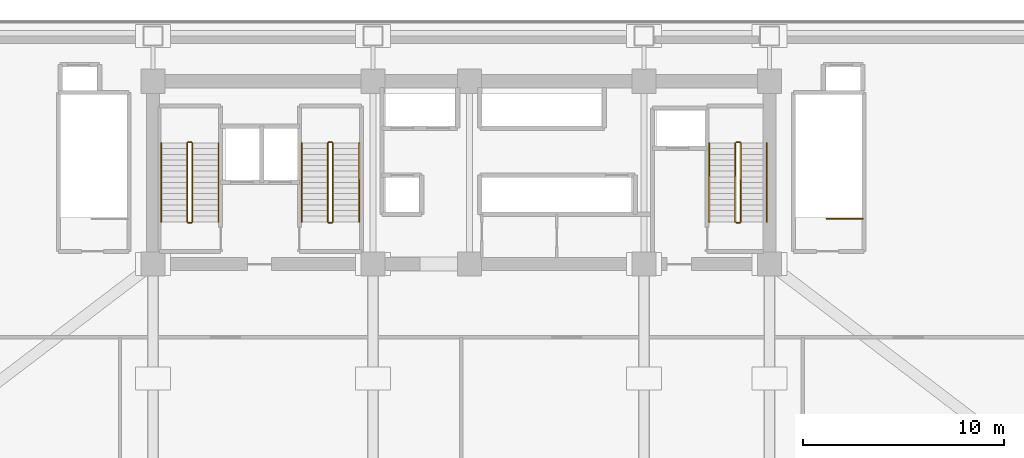
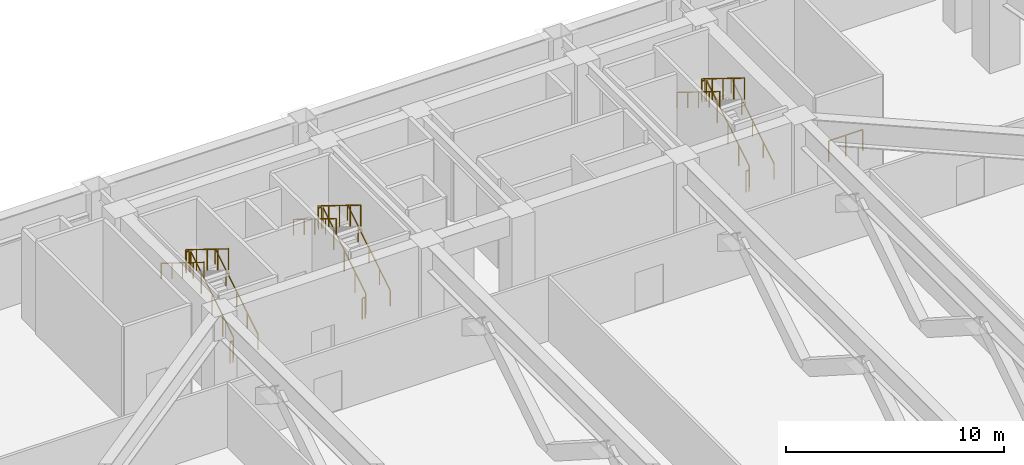
# One storey, part 7 of 8: 19 railings.
"""IFC4 building model written with IfcOpenShell, lengths in metres."""

from ifc_helpers import new_model, si_unit, direction, frame, origin, origin_2d, place, context, subcontext, project, spatial, rectangle, extrude, material, type_object, element, save


model = new_model("IFC4")

# Units and contexts
model_context = context("Model", 3, precision=1e-05, world=origin(), true_north=direction((0.0, 1.0)))
body_context = subcontext(model_context, "Body", "Model", "MODEL_VIEW")
ifc_project = project(units=[si_unit("LENGTHUNIT", "METRE"), si_unit("AREAUNIT", "SQUARE_METRE"), si_unit("VOLUMEUNIT", "CUBIC_METRE"), si_unit("PLANEANGLEUNIT", "RADIAN"), si_unit("MASSUNIT", "GRAM", prefix="KILO")], contexts=[model_context])

# Site, building, storey
site_placement = place(None, origin())
site = spatial("IfcSite", under=ifc_project, at=site_placement, CompositionType="ELEMENT")
building_placement = place(site_placement, origin())
building = spatial("IfcBuilding", under=site, at=building_placement, Name="Giltprow Tower", CompositionType="ELEMENT")
storey_placement = place(building_placement, frame((0.0, 0.0, 20.199951171875)))
storey = spatial("IfcBuildingStorey", under=building, at=storey_placement, Name="L05", CompositionType="ELEMENT", Elevation=20.199951171875)

# Railings
ifc_material = material(Name="Anodized bronze", Category="metal")
railing_type_1 = type_object("IfcRailingType", Name="RAIL-STAIR-GUARD-1200", PredefinedType="GUARDRAIL", material=ifc_material)
railing_1_placement = place(storey_placement, frame((21.81005859375, 39.550048828125, 0.17333984375)))
element("IfcRailing", 1, at=railing_1_placement, inside=storey, type_object=railing_type_1, Name="L05 ST-1 stair guard 1", PredefinedType="GUARDRAIL", context=body_context, shape_type="SweptSolid", body=[
    extrude(rectangle(XDim=0.048095703125, YDim=0.048095703125, at=origin_2d()), frame((0.0, 0.0, 1.17578125), z_axis=(0.0, 0.850251603719, 0.526376491091), x_axis=(-1.0, 0.0, 0.0)), (0.0, 0.0, 1.0), 4.6103515625),
    extrude(rectangle(XDim=0.0419921875, YDim=0.0419921875, at=origin_2d()), origin(), (0.0, 0.0, 1.0), 1.15185546875),
    extrude(rectangle(XDim=0.0419921875, YDim=0.0419921875, at=origin_2d()), frame((0.0, 0.97998046875, 0.606689453125)), (0.0, 0.0, 1.0), 1.15185546875),
    extrude(rectangle(XDim=0.0419921875, YDim=0.0419921875, at=origin_2d()), frame((0.0, 1.9599609375, 1.21337890625)), (0.0, 0.0, 1.0), 1.15185546875),
    extrude(rectangle(XDim=0.0419921875, YDim=0.0419921875, at=origin_2d()), frame((0.0, 2.93994140625, 1.820068359375)), (0.0, 0.0, 1.0), 1.15185546875),
    extrude(rectangle(XDim=0.0419921875, YDim=0.0419921875, at=origin_2d()), frame((0.0, 3.919921875, 2.4267578125)), (0.0, 0.0, 1.0), 1.15185546875),
])
railing_2_placement = place(storey_placement, frame((21.760009765625, 43.52001953125, 2.60009765625)))
element("IfcRailing", 2, at=railing_2_placement, inside=storey, type_object=railing_type_1, Name="L05 ST-1 stair guard 2", PredefinedType="GUARDRAIL", context=body_context, shape_type="SweptSolid", body=[
    extrude(rectangle(XDim=0.048095703125, YDim=0.048095703125, at=origin_2d()), frame((0.0, 0.0, 1.17578125), z_axis=(-1.0, 0.0, 0.0), x_axis=(0.0, -1.0, 0.0)), (0.0, 0.0, 1.0), 0.159912109375),
    extrude(rectangle(XDim=0.0419921875, YDim=0.0419921875, at=origin_2d()), origin(), (0.0, 0.0, 1.0), 1.15185546875),
    extrude(rectangle(XDim=0.0419921875, YDim=0.0419921875, at=origin_2d()), frame((-0.159912109375, 0.0, 0.0)), (0.0, 0.0, 1.0), 1.15185546875),
])
railing_3_placement = place(storey_placement, frame((21.550048828125, 43.469970703125, 2.7734375)))
element("IfcRailing", 3, at=railing_3_placement, inside=storey, type_object=railing_type_1, Name="L05 ST-1 stair guard 3", PredefinedType="GUARDRAIL", context=body_context, shape_type="SweptSolid", body=[
    extrude(rectangle(XDim=0.048095703125, YDim=0.048095703125, at=origin_2d()), frame((0.0, 0.0, 1.17578125), z_axis=(0.0, -0.850275303828, 0.526338206574), x_axis=(1.0, 0.0, 0.0)), (0.0, 0.0, 1.0), 4.610107421875),
    extrude(rectangle(XDim=0.0419921875, YDim=0.0419921875, at=origin_2d()), origin(), (0.0, 0.0, 1.0), 1.15185546875),
    extrude(rectangle(XDim=0.0419921875, YDim=0.0419921875, at=origin_2d()), frame((0.0, -0.97998046875, 0.606689453125)), (0.0, 0.0, 1.0), 1.15185546875),
    extrude(rectangle(XDim=0.0419921875, YDim=0.0419921875, at=origin_2d()), frame((0.0, -1.9599609375, 1.21337890625)), (0.0, 0.0, 1.0), 1.15185546875),
    extrude(rectangle(XDim=0.0419921875, YDim=0.0419921875, at=origin_2d()), frame((0.0, -2.93994140625, 1.81982421875)), (0.0, 0.0, 1.0), 1.15185546875),
    extrude(rectangle(XDim=0.0419921875, YDim=0.0419921875, at=origin_2d()), frame((0.0, -3.919921875, 2.426513671875)), (0.0, 0.0, 1.0), 1.15185546875),
])
railing_4_placement = place(storey_placement, frame((21.760009765625, 39.5, 0.0)))
element("IfcRailing", 4, at=railing_4_placement, inside=storey, type_object=railing_type_1, Name="L05 ST-1 stair guard 4", PredefinedType="GUARDRAIL", context=body_context, shape_type="SweptSolid", body=[
    extrude(rectangle(XDim=0.048095703125, YDim=0.048095703125, at=origin_2d()), frame((0.0, 0.0, 1.17578125), z_axis=(-1.0, 0.0, 0.0), x_axis=(0.0, -1.0, 0.0)), (0.0, 0.0, 1.0), 0.159912109375),
    extrude(rectangle(XDim=0.0419921875, YDim=0.0419921875, at=origin_2d()), origin(), (0.0, 0.0, 1.0), 1.15185546875),
    extrude(rectangle(XDim=0.0419921875, YDim=0.0419921875, at=origin_2d()), frame((-0.159912109375, 0.0, 0.0)), (0.0, 0.0, 1.0), 1.15185546875),
])
railing_5_placement = place(storey_placement, frame((28.81005859375, 39.550048828125, 0.17333984375)))
element("IfcRailing", 5, at=railing_5_placement, inside=storey, type_object=railing_type_1, Name="L05 ST-2 stair guard 1", PredefinedType="GUARDRAIL", context=body_context, shape_type="SweptSolid", body=[
    extrude(rectangle(XDim=0.048095703125, YDim=0.048095703125, at=origin_2d()), frame((0.0, 0.0, 1.17578125), z_axis=(0.0, 0.850251603719, 0.526376491091), x_axis=(-1.0, 0.0, 0.0)), (0.0, 0.0, 1.0), 4.6103515625),
    extrude(rectangle(XDim=0.0419921875, YDim=0.0419921875, at=origin_2d()), origin(), (0.0, 0.0, 1.0), 1.15185546875),
    extrude(rectangle(XDim=0.0419921875, YDim=0.0419921875, at=origin_2d()), frame((0.0, 0.97998046875, 0.606689453125)), (0.0, 0.0, 1.0), 1.15185546875),
    extrude(rectangle(XDim=0.0419921875, YDim=0.0419921875, at=origin_2d()), frame((0.0, 1.9599609375, 1.21337890625)), (0.0, 0.0, 1.0), 1.15185546875),
    extrude(rectangle(XDim=0.0419921875, YDim=0.0419921875, at=origin_2d()), frame((0.0, 2.93994140625, 1.820068359375)), (0.0, 0.0, 1.0), 1.15185546875),
    extrude(rectangle(XDim=0.0419921875, YDim=0.0419921875, at=origin_2d()), frame((0.0, 3.919921875, 2.4267578125)), (0.0, 0.0, 1.0), 1.15185546875),
])
railing_6_placement = place(storey_placement, frame((28.760009765625, 43.52001953125, 2.60009765625)))
element("IfcRailing", 6, at=railing_6_placement, inside=storey, type_object=railing_type_1, Name="L05 ST-2 stair guard 2", PredefinedType="GUARDRAIL", context=body_context, shape_type="SweptSolid", body=[
    extrude(rectangle(XDim=0.048095703125, YDim=0.048095703125, at=origin_2d()), frame((0.0, 0.0, 1.17578125), z_axis=(-1.0, 0.0, 0.0), x_axis=(0.0, -1.0, 0.0)), (0.0, 0.0, 1.0), 0.159912109375),
    extrude(rectangle(XDim=0.0419921875, YDim=0.0419921875, at=origin_2d()), origin(), (0.0, 0.0, 1.0), 1.15185546875),
    extrude(rectangle(XDim=0.0419921875, YDim=0.0419921875, at=origin_2d()), frame((-0.159912109375, 0.0, 0.0)), (0.0, 0.0, 1.0), 1.15185546875),
])
railing_7_placement = place(storey_placement, frame((28.550048828125, 43.469970703125, 2.7734375)))
element("IfcRailing", 7, at=railing_7_placement, inside=storey, type_object=railing_type_1, Name="L05 ST-2 stair guard 3", PredefinedType="GUARDRAIL", context=body_context, shape_type="SweptSolid", body=[
    extrude(rectangle(XDim=0.048095703125, YDim=0.048095703125, at=origin_2d()), frame((0.0, 0.0, 1.17578125), z_axis=(0.0, -0.850275303828, 0.526338206574), x_axis=(1.0, 0.0, 0.0)), (0.0, 0.0, 1.0), 4.610107421875),
    extrude(rectangle(XDim=0.0419921875, YDim=0.0419921875, at=origin_2d()), origin(), (0.0, 0.0, 1.0), 1.15185546875),
    extrude(rectangle(XDim=0.0419921875, YDim=0.0419921875, at=origin_2d()), frame((0.0, -0.97998046875, 0.606689453125)), (0.0, 0.0, 1.0), 1.15185546875),
    extrude(rectangle(XDim=0.0419921875, YDim=0.0419921875, at=origin_2d()), frame((0.0, -1.9599609375, 1.21337890625)), (0.0, 0.0, 1.0), 1.15185546875),
    extrude(rectangle(XDim=0.0419921875, YDim=0.0419921875, at=origin_2d()), frame((0.0, -2.93994140625, 1.81982421875)), (0.0, 0.0, 1.0), 1.15185546875),
    extrude(rectangle(XDim=0.0419921875, YDim=0.0419921875, at=origin_2d()), frame((0.0, -3.919921875, 2.426513671875)), (0.0, 0.0, 1.0), 1.15185546875),
])
railing_8_placement = place(storey_placement, frame((28.760009765625, 39.5, 0.0)))
element("IfcRailing", 8, at=railing_8_placement, inside=storey, type_object=railing_type_1, Name="L05 ST-2 stair guard 4", PredefinedType="GUARDRAIL", context=body_context, shape_type="SweptSolid", body=[
    extrude(rectangle(XDim=0.048095703125, YDim=0.048095703125, at=origin_2d()), frame((0.0, 0.0, 1.17578125), z_axis=(-1.0, 0.0, 0.0), x_axis=(0.0, -1.0, 0.0)), (0.0, 0.0, 1.0), 0.159912109375),
    extrude(rectangle(XDim=0.0419921875, YDim=0.0419921875, at=origin_2d()), origin(), (0.0, 0.0, 1.0), 1.15185546875),
    extrude(rectangle(XDim=0.0419921875, YDim=0.0419921875, at=origin_2d()), frame((-0.159912109375, 0.0, 0.0)), (0.0, 0.0, 1.0), 1.15185546875),
])
railing_9_placement = place(storey_placement, frame((49.110107421875, 39.550048828125, 0.17333984375)))
element("IfcRailing", 9, at=railing_9_placement, inside=storey, type_object=railing_type_1, Name="L05 ST-3 stair guard 1", PredefinedType="GUARDRAIL", context=body_context, shape_type="SweptSolid", body=[
    extrude(rectangle(XDim=0.048095703125, YDim=0.048095703125, at=origin_2d()), frame((0.0, 0.0, 1.17578125), z_axis=(0.0, 0.850251603719, 0.526376491091), x_axis=(-1.0, 0.0, 0.0)), (0.0, 0.0, 1.0), 4.6103515625),
    extrude(rectangle(XDim=0.0419921875, YDim=0.0419921875, at=origin_2d()), origin(), (0.0, 0.0, 1.0), 1.15185546875),
    extrude(rectangle(XDim=0.0419921875, YDim=0.0419921875, at=origin_2d()), frame((0.0, 0.97998046875, 0.606689453125)), (0.0, 0.0, 1.0), 1.15185546875),
    extrude(rectangle(XDim=0.0419921875, YDim=0.0419921875, at=origin_2d()), frame((0.0, 1.9599609375, 1.21337890625)), (0.0, 0.0, 1.0), 1.15185546875),
    extrude(rectangle(XDim=0.0419921875, YDim=0.0419921875, at=origin_2d()), frame((0.0, 2.93994140625, 1.820068359375)), (0.0, 0.0, 1.0), 1.15185546875),
    extrude(rectangle(XDim=0.0419921875, YDim=0.0419921875, at=origin_2d()), frame((0.0, 3.919921875, 2.4267578125)), (0.0, 0.0, 1.0), 1.15185546875),
])
railing_10_placement = place(storey_placement, frame((49.06005859375, 43.52001953125, 2.60009765625)))
element("IfcRailing", 10, at=railing_10_placement, inside=storey, type_object=railing_type_1, Name="L05 ST-3 stair guard 2", PredefinedType="GUARDRAIL", context=body_context, shape_type="SweptSolid", body=[
    extrude(rectangle(XDim=0.048095703125, YDim=0.048095703125, at=origin_2d()), frame((0.0, 0.0, 1.17578125), z_axis=(-1.0, 0.0, 0.0), x_axis=(0.0, -1.0, 0.0)), (0.0, 0.0, 1.0), 0.16015625),
    extrude(rectangle(XDim=0.0419921875, YDim=0.0419921875, at=origin_2d()), origin(), (0.0, 0.0, 1.0), 1.15185546875),
    extrude(rectangle(XDim=0.0419921875, YDim=0.0419921875, at=origin_2d()), frame((-0.16015625, 0.0, 0.0)), (0.0, 0.0, 1.0), 1.15185546875),
])
railing_11_placement = place(storey_placement, frame((48.85009765625, 43.469970703125, 2.7734375)))
element("IfcRailing", 11, at=railing_11_placement, inside=storey, type_object=railing_type_1, Name="L05 ST-3 stair guard 3", PredefinedType="GUARDRAIL", context=body_context, shape_type="SweptSolid", body=[
    extrude(rectangle(XDim=0.048095703125, YDim=0.048095703125, at=origin_2d()), frame((0.0, 0.0, 1.17578125), z_axis=(0.0, -0.850275303828, 0.526338206574), x_axis=(1.0, 0.0, 0.0)), (0.0, 0.0, 1.0), 4.610107421875),
    extrude(rectangle(XDim=0.0419921875, YDim=0.0419921875, at=origin_2d()), origin(), (0.0, 0.0, 1.0), 1.15185546875),
    extrude(rectangle(XDim=0.0419921875, YDim=0.0419921875, at=origin_2d()), frame((0.0, -0.97998046875, 0.606689453125)), (0.0, 0.0, 1.0), 1.15185546875),
    extrude(rectangle(XDim=0.0419921875, YDim=0.0419921875, at=origin_2d()), frame((0.0, -1.9599609375, 1.21337890625)), (0.0, 0.0, 1.0), 1.15185546875),
    extrude(rectangle(XDim=0.0419921875, YDim=0.0419921875, at=origin_2d()), frame((0.0, -2.93994140625, 1.81982421875)), (0.0, 0.0, 1.0), 1.15185546875),
    extrude(rectangle(XDim=0.0419921875, YDim=0.0419921875, at=origin_2d()), frame((0.0, -3.919921875, 2.426513671875)), (0.0, 0.0, 1.0), 1.15185546875),
])
railing_12_placement = place(storey_placement, frame((49.06005859375, 39.5, 0.0)))
element("IfcRailing", 12, at=railing_12_placement, inside=storey, type_object=railing_type_1, Name="L05 ST-3 stair guard 4", PredefinedType="GUARDRAIL", context=body_context, shape_type="SweptSolid", body=[
    extrude(rectangle(XDim=0.048095703125, YDim=0.048095703125, at=origin_2d()), frame((0.0, 0.0, 1.17578125), z_axis=(-1.0, 0.0, 0.0), x_axis=(0.0, -1.0, 0.0)), (0.0, 0.0, 1.0), 0.16015625),
    extrude(rectangle(XDim=0.0419921875, YDim=0.0419921875, at=origin_2d()), origin(), (0.0, 0.0, 1.0), 1.15185546875),
    extrude(rectangle(XDim=0.0419921875, YDim=0.0419921875, at=origin_2d()), frame((-0.16015625, 0.0, 0.0)), (0.0, 0.0, 1.0), 1.15185546875),
])
railing_13_placement = place(storey_placement, frame((55.199951171875, 39.699951171875, 0.0)))
element("IfcRailing", 13, at=railing_13_placement, inside=storey, type_object=railing_type_1, Name="L05 ST-P2 top well guard 1", PredefinedType="GUARDRAIL", context=body_context, shape_type="SweptSolid", body=[
    extrude(rectangle(XDim=0.048095703125, YDim=0.048095703125, at=origin_2d()), frame((0.0, 0.0, 1.17578125), z_axis=(-1.0, 0.0, 0.0), x_axis=(0.0, -1.0, 0.0)), (0.0, 0.0, 1.0), 1.800048828125),
    extrude(rectangle(XDim=0.0419921875, YDim=0.0419921875, at=origin_2d()), origin(), (0.0, 0.0, 1.0), 1.15185546875),
    extrude(rectangle(XDim=0.0419921875, YDim=0.0419921875, at=origin_2d()), frame((-0.89990234375, 0.0, 0.0)), (0.0, 0.0, 1.0), 1.15185546875),
    extrude(rectangle(XDim=0.0419921875, YDim=0.0419921875, at=origin_2d()), frame((-1.800048828125, 0.0, 0.0)), (0.0, 0.0, 1.0), 1.15185546875),
])
railing_type_2 = type_object("IfcRailingType", Name="RAIL-STAIR-HAND-900", PredefinedType="HANDRAIL", material=ifc_material)
railing_14_placement = place(storey_placement, frame((23.110107421875, 39.550048828125, 0.17333984375)))
element("IfcRailing", 14, at=railing_14_placement, inside=storey, type_object=railing_type_2, Name="L05 ST-1 stair handrail 1", PredefinedType="HANDRAIL", context=body_context, shape_type="SweptSolid", body=[
    extrude(rectangle(XDim=0.048095703125, YDim=0.048095703125, at=origin_2d()), frame((0.0, 0.0, 0.8759765625), z_axis=(0.0, 0.850251603719, 0.526376491091), x_axis=(-1.0, 0.0, 0.0)), (0.0, 0.0, 1.0), 4.6103515625),
    extrude(rectangle(XDim=0.0419921875, YDim=0.0419921875, at=origin_2d()), origin(), (0.0, 0.0, 1.0), 0.851806640625),
    extrude(rectangle(XDim=0.0419921875, YDim=0.0419921875, at=origin_2d()), frame((0.0, 0.97998046875, 0.606689453125)), (0.0, 0.0, 1.0), 0.851806640625),
    extrude(rectangle(XDim=0.0419921875, YDim=0.0419921875, at=origin_2d()), frame((0.0, 1.9599609375, 1.21337890625)), (0.0, 0.0, 1.0), 0.851806640625),
    extrude(rectangle(XDim=0.0419921875, YDim=0.0419921875, at=origin_2d()), frame((0.0, 2.93994140625, 1.820068359375)), (0.0, 0.0, 1.0), 0.851806640625),
    extrude(rectangle(XDim=0.0419921875, YDim=0.0419921875, at=origin_2d()), frame((0.0, 3.919921875, 2.4267578125)), (0.0, 0.0, 1.0), 0.851806640625),
])
railing_15_placement = place(storey_placement, frame((20.25, 43.469970703125, 2.7734375)))
element("IfcRailing", 15, at=railing_15_placement, inside=storey, type_object=railing_type_2, Name="L05 ST-1 stair handrail 2", PredefinedType="HANDRAIL", context=body_context, shape_type="SweptSolid", body=[
    extrude(rectangle(XDim=0.048095703125, YDim=0.048095703125, at=origin_2d()), frame((0.0, 0.0, 0.8759765625), z_axis=(0.0, -0.850275303828, 0.526338206574), x_axis=(1.0, 0.0, 0.0)), (0.0, 0.0, 1.0), 4.610107421875),
    extrude(rectangle(XDim=0.0419921875, YDim=0.0419921875, at=origin_2d()), origin(), (0.0, 0.0, 1.0), 0.851806640625),
    extrude(rectangle(XDim=0.0419921875, YDim=0.0419921875, at=origin_2d()), frame((0.0, -0.97998046875, 0.606689453125)), (0.0, 0.0, 1.0), 0.851806640625),
    extrude(rectangle(XDim=0.0419921875, YDim=0.0419921875, at=origin_2d()), frame((0.0, -1.9599609375, 1.21337890625)), (0.0, 0.0, 1.0), 0.851806640625),
    extrude(rectangle(XDim=0.0419921875, YDim=0.0419921875, at=origin_2d()), frame((0.0, -2.93994140625, 1.81982421875)), (0.0, 0.0, 1.0), 0.851806640625),
    extrude(rectangle(XDim=0.0419921875, YDim=0.0419921875, at=origin_2d()), frame((0.0, -3.919921875, 2.426513671875)), (0.0, 0.0, 1.0), 0.851806640625),
])
railing_16_placement = place(storey_placement, frame((30.110107421875, 39.550048828125, 0.17333984375)))
element("IfcRailing", 16, at=railing_16_placement, inside=storey, type_object=railing_type_2, Name="L05 ST-2 stair handrail 1", PredefinedType="HANDRAIL", context=body_context, shape_type="SweptSolid", body=[
    extrude(rectangle(XDim=0.048095703125, YDim=0.048095703125, at=origin_2d()), frame((0.0, 0.0, 0.8759765625), z_axis=(0.0, 0.850251603719, 0.526376491091), x_axis=(-1.0, 0.0, 0.0)), (0.0, 0.0, 1.0), 4.6103515625),
    extrude(rectangle(XDim=0.0419921875, YDim=0.0419921875, at=origin_2d()), origin(), (0.0, 0.0, 1.0), 0.851806640625),
    extrude(rectangle(XDim=0.0419921875, YDim=0.0419921875, at=origin_2d()), frame((0.0, 0.97998046875, 0.606689453125)), (0.0, 0.0, 1.0), 0.851806640625),
    extrude(rectangle(XDim=0.0419921875, YDim=0.0419921875, at=origin_2d()), frame((0.0, 1.9599609375, 1.21337890625)), (0.0, 0.0, 1.0), 0.851806640625),
    extrude(rectangle(XDim=0.0419921875, YDim=0.0419921875, at=origin_2d()), frame((0.0, 2.93994140625, 1.820068359375)), (0.0, 0.0, 1.0), 0.851806640625),
    extrude(rectangle(XDim=0.0419921875, YDim=0.0419921875, at=origin_2d()), frame((0.0, 3.919921875, 2.4267578125)), (0.0, 0.0, 1.0), 0.851806640625),
])
railing_17_placement = place(storey_placement, frame((27.25, 43.469970703125, 2.7734375)))
element("IfcRailing", 17, at=railing_17_placement, inside=storey, type_object=railing_type_2, Name="L05 ST-2 stair handrail 2", PredefinedType="HANDRAIL", context=body_context, shape_type="SweptSolid", body=[
    extrude(rectangle(XDim=0.048095703125, YDim=0.048095703125, at=origin_2d()), frame((0.0, 0.0, 0.8759765625), z_axis=(0.0, -0.850275303828, 0.526338206574), x_axis=(1.0, 0.0, 0.0)), (0.0, 0.0, 1.0), 4.610107421875),
    extrude(rectangle(XDim=0.0419921875, YDim=0.0419921875, at=origin_2d()), origin(), (0.0, 0.0, 1.0), 0.851806640625),
    extrude(rectangle(XDim=0.0419921875, YDim=0.0419921875, at=origin_2d()), frame((0.0, -0.97998046875, 0.606689453125)), (0.0, 0.0, 1.0), 0.851806640625),
    extrude(rectangle(XDim=0.0419921875, YDim=0.0419921875, at=origin_2d()), frame((0.0, -1.9599609375, 1.21337890625)), (0.0, 0.0, 1.0), 0.851806640625),
    extrude(rectangle(XDim=0.0419921875, YDim=0.0419921875, at=origin_2d()), frame((0.0, -2.93994140625, 1.81982421875)), (0.0, 0.0, 1.0), 0.851806640625),
    extrude(rectangle(XDim=0.0419921875, YDim=0.0419921875, at=origin_2d()), frame((0.0, -3.919921875, 2.426513671875)), (0.0, 0.0, 1.0), 0.851806640625),
])
railing_18_placement = place(storey_placement, frame((50.409912109375, 39.550048828125, 0.17333984375)))
element("IfcRailing", 18, at=railing_18_placement, inside=storey, type_object=railing_type_2, Name="L05 ST-3 stair handrail 1", PredefinedType="HANDRAIL", context=body_context, shape_type="SweptSolid", body=[
    extrude(rectangle(XDim=0.048095703125, YDim=0.048095703125, at=origin_2d()), frame((0.0, 0.0, 0.8759765625), z_axis=(0.0, 0.850251603719, 0.526376491091), x_axis=(-1.0, 0.0, 0.0)), (0.0, 0.0, 1.0), 4.6103515625),
    extrude(rectangle(XDim=0.0419921875, YDim=0.0419921875, at=origin_2d()), origin(), (0.0, 0.0, 1.0), 0.851806640625),
    extrude(rectangle(XDim=0.0419921875, YDim=0.0419921875, at=origin_2d()), frame((0.0, 0.97998046875, 0.606689453125)), (0.0, 0.0, 1.0), 0.851806640625),
    extrude(rectangle(XDim=0.0419921875, YDim=0.0419921875, at=origin_2d()), frame((0.0, 1.9599609375, 1.21337890625)), (0.0, 0.0, 1.0), 0.851806640625),
    extrude(rectangle(XDim=0.0419921875, YDim=0.0419921875, at=origin_2d()), frame((0.0, 2.93994140625, 1.820068359375)), (0.0, 0.0, 1.0), 0.851806640625),
    extrude(rectangle(XDim=0.0419921875, YDim=0.0419921875, at=origin_2d()), frame((0.0, 3.919921875, 2.4267578125)), (0.0, 0.0, 1.0), 0.851806640625),
])
railing_19_placement = place(storey_placement, frame((47.550048828125, 43.469970703125, 2.7734375)))
element("IfcRailing", 19, at=railing_19_placement, inside=storey, type_object=railing_type_2, Name="L05 ST-3 stair handrail 2", PredefinedType="HANDRAIL", context=body_context, shape_type="SweptSolid", body=[
    extrude(rectangle(XDim=0.048095703125, YDim=0.048095703125, at=origin_2d()), frame((0.0, 0.0, 0.8759765625), z_axis=(0.0, -0.850275303828, 0.526338206574), x_axis=(1.0, 0.0, 0.0)), (0.0, 0.0, 1.0), 4.610107421875),
    extrude(rectangle(XDim=0.0419921875, YDim=0.0419921875, at=origin_2d()), origin(), (0.0, 0.0, 1.0), 0.851806640625),
    extrude(rectangle(XDim=0.0419921875, YDim=0.0419921875, at=origin_2d()), frame((0.0, -0.97998046875, 0.606689453125)), (0.0, 0.0, 1.0), 0.851806640625),
    extrude(rectangle(XDim=0.0419921875, YDim=0.0419921875, at=origin_2d()), frame((0.0, -1.9599609375, 1.21337890625)), (0.0, 0.0, 1.0), 0.851806640625),
    extrude(rectangle(XDim=0.0419921875, YDim=0.0419921875, at=origin_2d()), frame((0.0, -2.93994140625, 1.81982421875)), (0.0, 0.0, 1.0), 0.851806640625),
    extrude(rectangle(XDim=0.0419921875, YDim=0.0419921875, at=origin_2d()), frame((0.0, -3.919921875, 2.426513671875)), (0.0, 0.0, 1.0), 0.851806640625),
])

save(model, "model.ifc")
